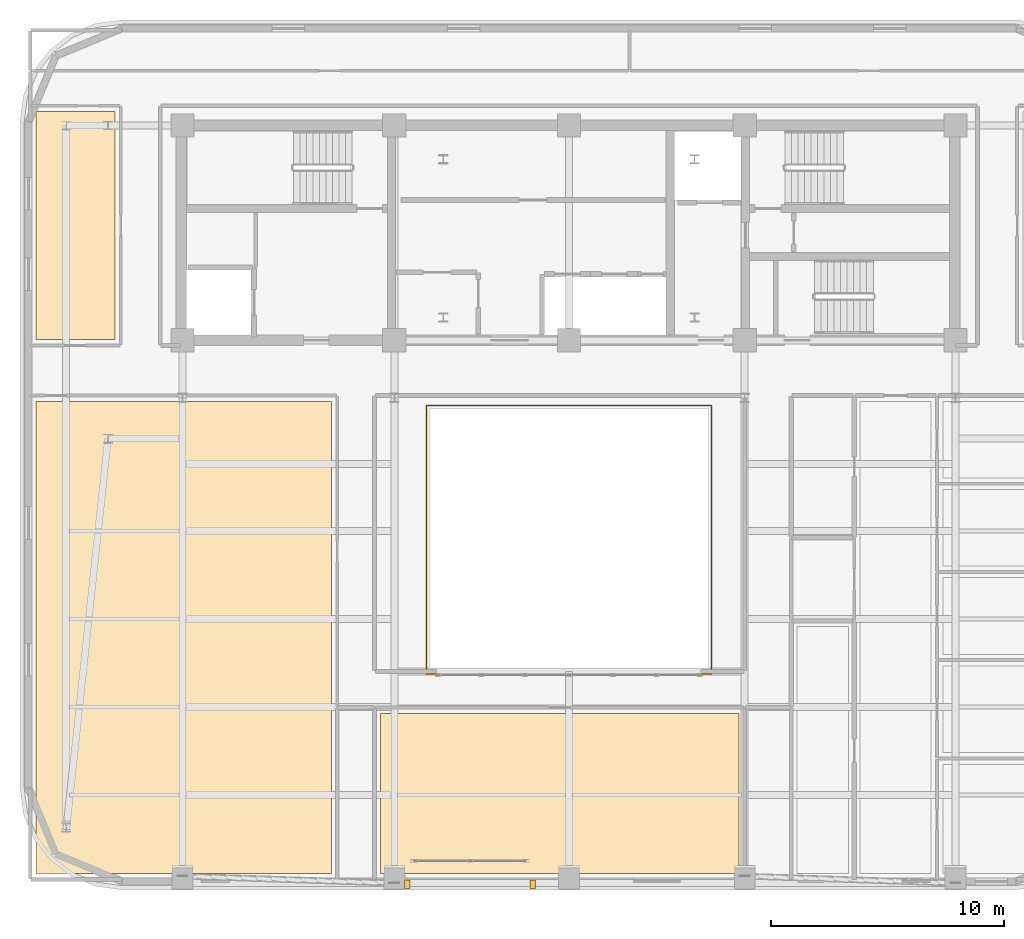
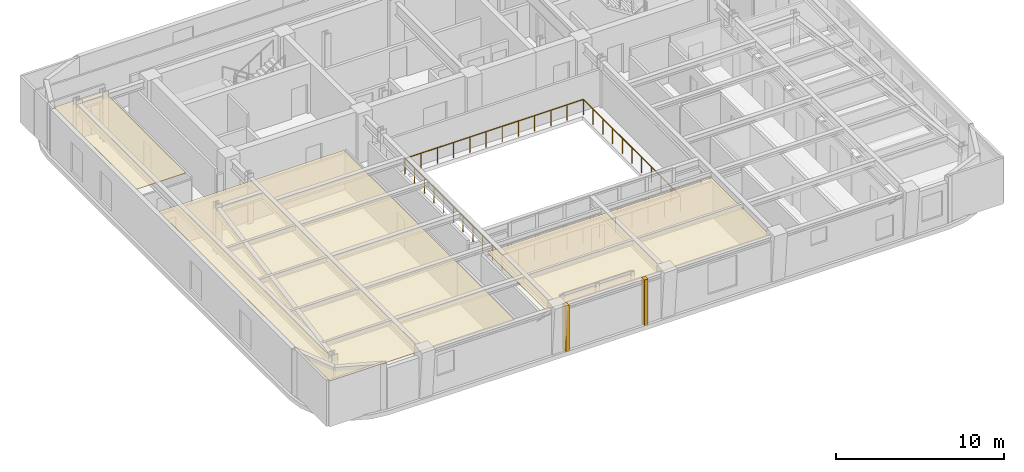
# One storey, part 10 of 13: 5 coverings, 1 railing.
"""IFC4 building model written with IfcOpenShell, lengths in metres."""

from ifc_helpers import new_model, si_unit, direction, frame, origin, origin_2d, place, context, subcontext, project, spatial, polyline, rectangle, outline, extrude, material, layer, layer_set, type_object, element, save


model = new_model("IFC4")

# Units and contexts
model_context = context("Model", 3, precision=1e-05, world=origin(), true_north=direction((0.0, 1.0)))
body_context = subcontext(model_context, "Body", "Model", "MODEL_VIEW")
ifc_project = project(units=[si_unit("LENGTHUNIT", "METRE"), si_unit("AREAUNIT", "SQUARE_METRE"), si_unit("VOLUMEUNIT", "CUBIC_METRE"), si_unit("PLANEANGLEUNIT", "RADIAN"), si_unit("MASSUNIT", "GRAM", prefix="KILO")], contexts=[model_context])

# Site, building, storey
site_placement = place(None, origin())
site = spatial("IfcSite", under=ifc_project, at=site_placement, CompositionType="ELEMENT")
building_placement = place(site_placement, origin())
building = spatial("IfcBuilding", under=site, at=building_placement, Name="Zarnavel Station Tower", CompositionType="ELEMENT")
storey_placement = place(building_placement, frame((0.0, 0.0, 236.39990234375)))
storey = spatial("IfcBuildingStorey", under=building, at=storey_placement, Name="L64", CompositionType="ELEMENT", Elevation=236.39990234375)

# Coverings
ifc_material_1 = material(Name="Perforated Gypsum and Mineral-Wool Acoustic Ceiling", Category="concrete")
ifc_layer = layer(ifc_material_1, 0.0400390625)
ifc_layer_set = layer_set([ifc_layer], Name="COV_CEIL_ACOUSTIC")
covering_type_1 = type_object("IfcCoveringType", Name="COV_CEIL_ACOUSTIC", PredefinedType="CEILING", material=ifc_layer_set)
covering_1_placement = place(storey_placement, frame((0.0, 0.0, 3.02001953125)))
element("IfcCovering", 1, at=covering_1_placement, inside=storey, type_object=covering_type_1, Name="L64 FNW Acoustic Ceiling", PredefinedType="CEILING", context=body_context, shape_type="SweptSolid", body=[
    extrude(outline(polyline([(5.909912109375, 27.85009765625), (9.300048828125, 27.85009765625), (9.300048828125, 37.64990234375), (5.909912109375, 37.64990234375), (5.909912109375, 27.85009765625)])), origin(), (0.0, 0.0, 1.0), 0.0400390625),
])
covering_2_placement = place(storey_placement, frame((0.0, 0.0, 3.02001953125)))
element("IfcCovering", 2, at=covering_2_placement, inside=storey, type_object=covering_type_1, Name="L64 L64ART Acoustic Ceiling", PredefinedType="CEILING", context=body_context, shape_type="SweptSolid", body=[
    extrude(outline(polyline([(5.909912109375, 4.909912109375), (18.60009765625, 4.909912109375), (18.60009765625, 25.199951171875), (5.909912109375, 25.199951171875), (5.909912109375, 4.909912109375)])), origin(), (0.0, 0.0, 1.0), 0.0400390625),
])
covering_3_placement = place(storey_placement, frame((0.0, 0.0, 3.02001953125)))
element("IfcCovering", 3, at=covering_3_placement, inside=storey, type_object=covering_type_1, Name="L64 L64CON Acoustic Ceiling", PredefinedType="CEILING", context=body_context, shape_type="SweptSolid", body=[
    extrude(outline(polyline([(20.699951171875, 4.909912109375), (36.10009765625, 4.909912109375), (36.10009765625, 11.800048828125), (20.699951171875, 11.800048828125), (20.699951171875, 4.909912109375)])), origin(), (0.0, 0.0, 1.0), 0.0400390625),
])
ifc_material_2 = material(Name="Precast concrete C45/55 (Pale Travertine Slab Band)", Category="masonry")
covering_type_2 = type_object("IfcCoveringType", Name="COV_TRAVERTINE_BAND", PredefinedType="CLADDING", material=ifc_material_2)
for number, where, z_axis, x_axis, name in (
    (4, (21.85009765625, 4.449951171875, 0.0), (0.0, 0.0, 1.0), (1.0, 0.0, 0.0), "L64 Travertine Portal Loggia Vertical Jog West"),
    (5, (27.25, 4.449951171875, 0.0), (0.0, 0.0, 1.0), (1.0, 0.0, 0.0), "L64 Travertine Portal Loggia Vertical Jog East"),
):
    element("IfcCovering", number, at=place(storey_placement, frame(where, z_axis=z_axis, x_axis=x_axis)), inside=storey, type_object=covering_type_2, Name=name, PredefinedType="CLADDING", context=body_context, shape_type="SweptSolid", body=[
        extrude(rectangle(XDim=0.239990234375, YDim=0.360107421875, at=origin_2d()), origin(), (0.0, 0.0, 1.0), 3.340087890625),
    ])

# Railing
ifc_material_3 = material(Name="Painted Steel S355J2 Balustrade", Category="steel")
railing_type = type_object("IfcRailingType", Name="GR_INT_1150", PredefinedType="GUARDRAIL", material=ifc_material_3)
railing_placement = place(storey_placement, frame((22.679931640625, 13.47998046875, 0.0)))
element("IfcRailing", 6, at=railing_placement, inside=storey, type_object=railing_type, Name="L64 Atrium Void Guardrail", PredefinedType="GUARDRAIL", context=body_context, shape_type="SweptSolid", body=[
    extrude(rectangle(XDim=0.048095703125, YDim=0.048095703125, at=origin_2d()), frame((0.001953125, 0.0, 1.1259765625), z_axis=(1.0, 0.0, 0.0), x_axis=(0.0, 1.0, 0.0)), (0.0, 0.0, 1.0), 12.236083984375),
    extrude(rectangle(XDim=0.048095703125, YDim=0.048095703125, at=origin_2d()), frame((12.239990234375, 0.001953125, 1.1259765625), z_axis=(0.0, 1.0, 0.0), x_axis=(-1.0, 0.0, 0.0)), (0.0, 0.0, 1.0), 11.5361328125),
    extrude(rectangle(XDim=0.048095703125, YDim=0.048095703125, at=origin_2d()), frame((12.238037109375, 11.5400390625, 1.1259765625), z_axis=(-1.0, 0.0, 0.0), x_axis=(0.0, -1.0, 0.0)), (0.0, 0.0, 1.0), 12.236083984375),
    extrude(rectangle(XDim=0.048095703125, YDim=0.048095703125, at=origin_2d()), frame((0.0, 11.5380859375, 1.1259765625), z_axis=(0.0, -1.0, 0.0), x_axis=(1.0, 0.0, 0.0)), (0.0, 0.0, 1.0), 11.5361328125),
    extrude(rectangle(XDim=0.0419921875, YDim=0.0419921875, at=origin_2d()), origin(), (0.0, 0.0, 1.0), 1.101806640625),
    extrude(rectangle(XDim=0.0419921875, YDim=0.0419921875, at=origin_2d()), frame((1.11279296875, 0.0, 0.0)), (0.0, 0.0, 1.0), 1.101806640625),
    extrude(rectangle(XDim=0.0419921875, YDim=0.0419921875, at=origin_2d()), frame((2.225341796875, 0.0, 0.0)), (0.0, 0.0, 1.0), 1.101806640625),
    extrude(rectangle(XDim=0.0419921875, YDim=0.0419921875, at=origin_2d()), frame((3.338134765625, 0.0, 0.0)), (0.0, 0.0, 1.0), 1.101806640625),
    extrude(rectangle(XDim=0.0419921875, YDim=0.0419921875, at=origin_2d()), frame((4.450927734375, 0.0, 0.0)), (0.0, 0.0, 1.0), 1.101806640625),
    extrude(rectangle(XDim=0.0419921875, YDim=0.0419921875, at=origin_2d()), frame((5.563720703125, 0.0, 0.0)), (0.0, 0.0, 1.0), 1.101806640625),
    extrude(rectangle(XDim=0.0419921875, YDim=0.0419921875, at=origin_2d()), frame((6.67626953125, 0.0, 0.0)), (0.0, 0.0, 1.0), 1.101806640625),
    extrude(rectangle(XDim=0.0419921875, YDim=0.0419921875, at=origin_2d()), frame((7.7890625, 0.0, 0.0)), (0.0, 0.0, 1.0), 1.101806640625),
    extrude(rectangle(XDim=0.0419921875, YDim=0.0419921875, at=origin_2d()), frame((8.90185546875, 0.0, 0.0)), (0.0, 0.0, 1.0), 1.101806640625),
    extrude(rectangle(XDim=0.0419921875, YDim=0.0419921875, at=origin_2d()), frame((10.0146484375, 0.0, 0.0)), (0.0, 0.0, 1.0), 1.101806640625),
    extrude(rectangle(XDim=0.0419921875, YDim=0.0419921875, at=origin_2d()), frame((11.127197265625, 0.0, 0.0)), (0.0, 0.0, 1.0), 1.101806640625),
    extrude(rectangle(XDim=0.0419921875, YDim=0.0419921875, at=origin_2d()), frame((12.239990234375, 0.0, 0.0)), (0.0, 0.0, 1.0), 1.101806640625),
    extrude(rectangle(XDim=0.0419921875, YDim=0.0419921875, at=origin_2d()), frame((12.239990234375, 1.154052734375, 0.0)), (0.0, 0.0, 1.0), 1.101806640625),
    extrude(rectangle(XDim=0.0419921875, YDim=0.0419921875, at=origin_2d()), frame((12.239990234375, 2.30810546875, 0.0)), (0.0, 0.0, 1.0), 1.101806640625),
    extrude(rectangle(XDim=0.0419921875, YDim=0.0419921875, at=origin_2d()), frame((12.239990234375, 3.4619140625, 0.0)), (0.0, 0.0, 1.0), 1.101806640625),
    extrude(rectangle(XDim=0.0419921875, YDim=0.0419921875, at=origin_2d()), frame((12.239990234375, 4.615966796875, 0.0)), (0.0, 0.0, 1.0), 1.101806640625),
    extrude(rectangle(XDim=0.0419921875, YDim=0.0419921875, at=origin_2d()), frame((12.239990234375, 5.77001953125, 0.0)), (0.0, 0.0, 1.0), 1.101806640625),
    extrude(rectangle(XDim=0.0419921875, YDim=0.0419921875, at=origin_2d()), frame((12.239990234375, 6.924072265625, 0.0)), (0.0, 0.0, 1.0), 1.101806640625),
    extrude(rectangle(XDim=0.0419921875, YDim=0.0419921875, at=origin_2d()), frame((12.239990234375, 8.078125, 0.0)), (0.0, 0.0, 1.0), 1.101806640625),
    extrude(rectangle(XDim=0.0419921875, YDim=0.0419921875, at=origin_2d()), frame((12.239990234375, 9.23193359375, 0.0)), (0.0, 0.0, 1.0), 1.101806640625),
    extrude(rectangle(XDim=0.0419921875, YDim=0.0419921875, at=origin_2d()), frame((12.239990234375, 10.385986328125, 0.0)), (0.0, 0.0, 1.0), 1.101806640625),
    extrude(rectangle(XDim=0.0419921875, YDim=0.0419921875, at=origin_2d()), frame((12.239990234375, 11.5400390625, 0.0)), (0.0, 0.0, 1.0), 1.101806640625),
    extrude(rectangle(XDim=0.0419921875, YDim=0.0419921875, at=origin_2d()), frame((11.127197265625, 11.5400390625, 0.0)), (0.0, 0.0, 1.0), 1.101806640625),
    extrude(rectangle(XDim=0.0419921875, YDim=0.0419921875, at=origin_2d()), frame((10.0146484375, 11.5400390625, 0.0)), (0.0, 0.0, 1.0), 1.101806640625),
    extrude(rectangle(XDim=0.0419921875, YDim=0.0419921875, at=origin_2d()), frame((8.90185546875, 11.5400390625, 0.0)), (0.0, 0.0, 1.0), 1.101806640625),
    extrude(rectangle(XDim=0.0419921875, YDim=0.0419921875, at=origin_2d()), frame((7.7890625, 11.5400390625, 0.0)), (0.0, 0.0, 1.0), 1.101806640625),
    extrude(rectangle(XDim=0.0419921875, YDim=0.0419921875, at=origin_2d()), frame((6.67626953125, 11.5400390625, 0.0)), (0.0, 0.0, 1.0), 1.101806640625),
    extrude(rectangle(XDim=0.0419921875, YDim=0.0419921875, at=origin_2d()), frame((5.563720703125, 11.5400390625, 0.0)), (0.0, 0.0, 1.0), 1.101806640625),
    extrude(rectangle(XDim=0.0419921875, YDim=0.0419921875, at=origin_2d()), frame((4.450927734375, 11.5400390625, 0.0)), (0.0, 0.0, 1.0), 1.101806640625),
    extrude(rectangle(XDim=0.0419921875, YDim=0.0419921875, at=origin_2d()), frame((3.338134765625, 11.5400390625, 0.0)), (0.0, 0.0, 1.0), 1.101806640625),
    extrude(rectangle(XDim=0.0419921875, YDim=0.0419921875, at=origin_2d()), frame((2.225341796875, 11.5400390625, 0.0)), (0.0, 0.0, 1.0), 1.101806640625),
    extrude(rectangle(XDim=0.0419921875, YDim=0.0419921875, at=origin_2d()), frame((1.11279296875, 11.5400390625, 0.0)), (0.0, 0.0, 1.0), 1.101806640625),
    extrude(rectangle(XDim=0.0419921875, YDim=0.0419921875, at=origin_2d()), frame((0.0, 11.5400390625, 0.0)), (0.0, 0.0, 1.0), 1.101806640625),
    extrude(rectangle(XDim=0.0419921875, YDim=0.0419921875, at=origin_2d()), frame((0.0, 10.385986328125, 0.0)), (0.0, 0.0, 1.0), 1.101806640625),
    extrude(rectangle(XDim=0.0419921875, YDim=0.0419921875, at=origin_2d()), frame((0.0, 9.23193359375, 0.0)), (0.0, 0.0, 1.0), 1.101806640625),
    extrude(rectangle(XDim=0.0419921875, YDim=0.0419921875, at=origin_2d()), frame((0.0, 8.078125, 0.0)), (0.0, 0.0, 1.0), 1.101806640625),
    extrude(rectangle(XDim=0.0419921875, YDim=0.0419921875, at=origin_2d()), frame((0.0, 6.924072265625, 0.0)), (0.0, 0.0, 1.0), 1.101806640625),
    extrude(rectangle(XDim=0.0419921875, YDim=0.0419921875, at=origin_2d()), frame((0.0, 5.77001953125, 0.0)), (0.0, 0.0, 1.0), 1.101806640625),
    extrude(rectangle(XDim=0.0419921875, YDim=0.0419921875, at=origin_2d()), frame((0.0, 4.615966796875, 0.0)), (0.0, 0.0, 1.0), 1.101806640625),
    extrude(rectangle(XDim=0.0419921875, YDim=0.0419921875, at=origin_2d()), frame((0.0, 3.4619140625, 0.0)), (0.0, 0.0, 1.0), 1.101806640625),
    extrude(rectangle(XDim=0.0419921875, YDim=0.0419921875, at=origin_2d()), frame((0.0, 2.30810546875, 0.0)), (0.0, 0.0, 1.0), 1.101806640625),
    extrude(rectangle(XDim=0.0419921875, YDim=0.0419921875, at=origin_2d()), frame((0.0, 1.154052734375, 0.0)), (0.0, 0.0, 1.0), 1.101806640625),
])

save(model, "model.ifc")
